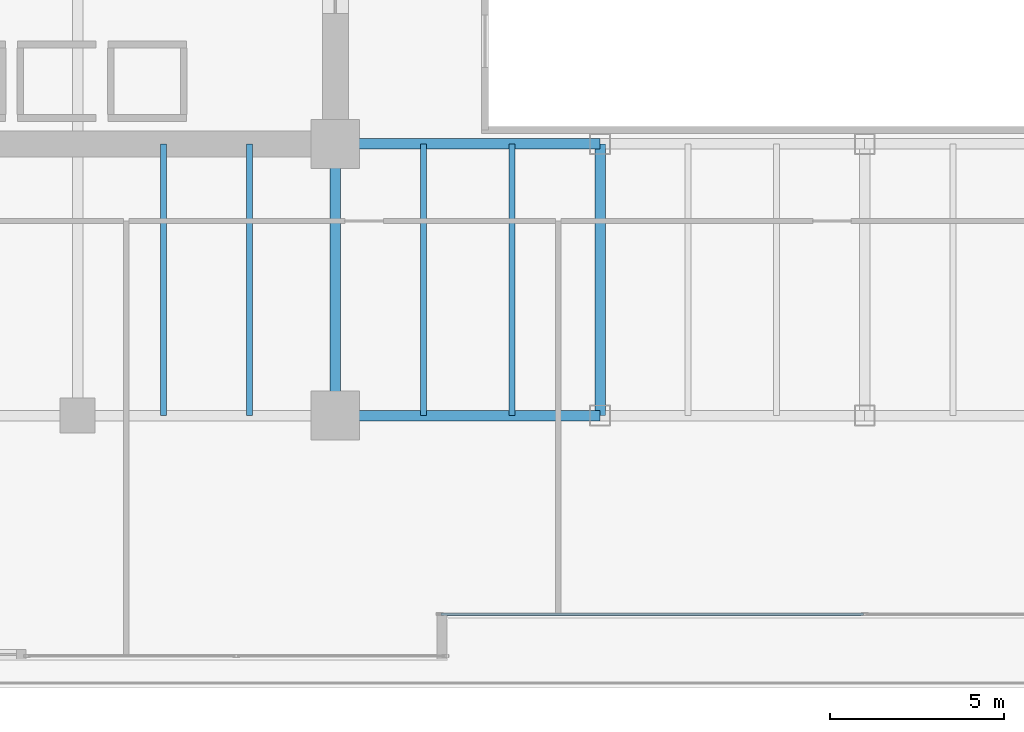
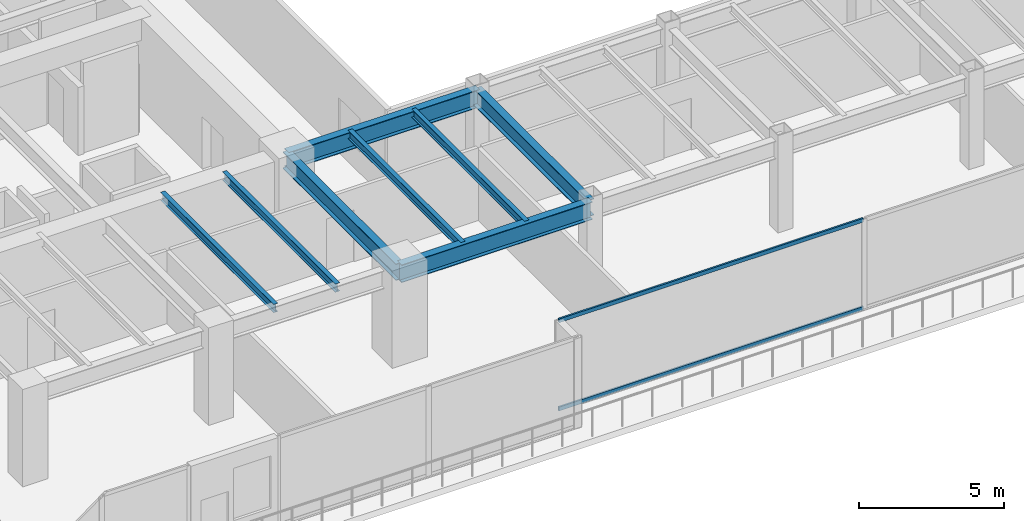
# One storey, part 5 of 36: 8 beams, 2 members, 1 element without a shape of its own.
"""IFC4 building model written with IfcOpenShell, lengths in metres."""

import ifcopenshell
import ifcopenshell.guid

model = None  # the IFC model being written
_history = None  # IfcOwnerHistory: only IFC2X3 demands one
_inside = {}  # id of a spatial element -> (the spatial element, [elements in it])
_under = {}  # id of a project, library or spatial element -> (it, [spatial elements below it])
_declared = {}  # id of a project -> (the project, [libraries it declares])
_typed = {}  # id of a type object -> (the type object, [elements of that type])
_made_of = {}  # id of a material, layer set ... -> (it, [elements and type objects made of it])


def new_model(schema):
    """Start an empty IFC model of exactly this schema.

    Asked for "IFC4X3", IfcOpenShell would pick the latest addendum, in which some entities
    have other attributes; the version numbers below select the first issue.
    IFC2X3 requires an IfcOwnerHistory on every rooted entity: one is made here for all.
    """
    global model, _history
    if schema == "IFC4X3":
        model = ifcopenshell.file(schema_version=(4, 3, 0, 0))
    else:
        model = ifcopenshell.file(schema=schema)
    _inside.clear()
    _under.clear()
    _declared.clear()
    _typed.clear()
    _made_of.clear()
    _history = None
    if model.schema == "IFC2X3":
        org = make("IfcOrganization", Name="unknown")
        user = make(
            "IfcPersonAndOrganization",
            ThePerson=make("IfcPerson", FamilyName="unknown"),
            TheOrganization=org,
        )
        app = make(
            "IfcApplication",
            ApplicationDeveloper=org,
            Version="unknown",
            ApplicationFullName="unknown",
            ApplicationIdentifier="unknown",
        )
        _history = make(
            "IfcOwnerHistory",
            OwningUser=user,
            OwningApplication=app,
            ChangeAction="ADDED",
            CreationDate=0,
        )
    return model


def make(cls, **values):
    """One entity of the class cls with the attributes given. An attribute that is None is left unset."""
    return model.create_entity(
        cls, **{name: value for name, value in values.items() if value is not None}
    )


def rooted(cls, **values):
    """An entity with a GlobalId (a new one), such as an element, a storey or a relation."""
    return make(cls, GlobalId=ifcopenshell.guid.new(), OwnerHistory=_history, **values)


def si_unit(unit_type, name, prefix=None):
    """IfcSIUnit, for example si_unit("LENGTHUNIT", "METRE", prefix="MILLI")."""
    return make("IfcSIUnit", UnitType=unit_type, Prefix=prefix, Name=name)


def assignment(units):
    """IfcUnitAssignment: the units of a project."""
    return None if units is None else make("IfcUnitAssignment", Units=units)


def point(xyz):
    """IfcCartesianPoint."""
    return None if xyz is None else make("IfcCartesianPoint", Coordinates=xyz)


def direction(xyz):
    """IfcDirection."""
    return None if xyz is None else make("IfcDirection", DirectionRatios=xyz)


def frame(location, z_axis=None, x_axis=None):
    """IfcAxis2Placement3D, a coordinate frame: its origin and axes. An axis left out is left unset."""
    return make(
        "IfcAxis2Placement3D",
        Location=point(location),
        Axis=direction(z_axis),
        RefDirection=direction(x_axis),
    )


def frame_2d(location, x_axis=None):
    """IfcAxis2Placement2D, a coordinate frame in the plane: its origin and x axis."""
    return make(
        "IfcAxis2Placement2D", Location=point(location), RefDirection=direction(x_axis)
    )


def origin():
    """The frame at (0, 0, 0) with its axes left unset."""
    return frame((0.0, 0.0, 0.0))


def origin_2d():
    """The frame at (0, 0) in the plane with its x axis left unset."""
    return frame_2d((0.0, 0.0))


def place(relative_to, where):
    """IfcLocalPlacement: puts the frame where relative to a parent placement (None: the world)."""
    return make(
        "IfcLocalPlacement", PlacementRelTo=relative_to, RelativePlacement=where
    )


def context(
    kind, dimensions, precision=None, world=None, true_north=None, identifier=None
):
    """IfcGeometricRepresentationContext, for example the 3D "Model" context."""
    return make(
        "IfcGeometricRepresentationContext",
        ContextIdentifier=identifier,
        ContextType=kind,
        CoordinateSpaceDimension=dimensions,
        Precision=precision,
        WorldCoordinateSystem=world,
        TrueNorth=true_north,
    )


def subcontext(parent, identifier, kind, view, scale=None):
    """IfcGeometricRepresentationSubContext, for example "Body" below "Model"."""
    return make(
        "IfcGeometricRepresentationSubContext",
        ContextIdentifier=identifier,
        ContextType=kind,
        ParentContext=parent,
        TargetScale=scale,
        TargetView=view,
    )


def project(units=None, contexts=None):
    """IfcProject with its units and contexts."""
    return rooted(
        "IfcProject",
        Name="project",
        RepresentationContexts=contexts,
        UnitsInContext=assignment(units),
    )


def spatial(cls, under=None, at=None, **own):
    """A site, building, storey or space (cls), placed at a placement, below another one or the project."""
    s = rooted(cls, ObjectPlacement=at, **own)
    if under is not None:
        _under.setdefault(under.id(), (under, []))[1].append(s)
    return s


def profile(cls, at=None, kind="AREA", **sizes):
    """A parametric profile (cls). Its sizes go by their IFC names, for example OverallWidth=200.0."""
    return make(cls, ProfileType=kind, Position=at, **sizes)


def hollow_rectangle(**sizes):
    """IfcRectangleHollowProfileDef."""
    return profile("IfcRectangleHollowProfileDef", **sizes)


def i_section(**sizes):
    """IfcIShapeProfileDef."""
    return profile("IfcIShapeProfileDef", **sizes)


def extrude(swept, where, along, depth):
    """IfcExtrudedAreaSolid: the profile swept, set in the frame where, extruded along a direction by depth."""
    return make(
        "IfcExtrudedAreaSolid",
        SweptArea=swept,
        Position=where,
        ExtrudedDirection=direction(along),
        Depth=depth,
    )


def shape(context_of_items, identifier, shape_type, items):
    """IfcShapeRepresentation: the items that make up one representation, for example the "Body"."""
    return make(
        "IfcShapeRepresentation",
        ContextOfItems=context_of_items,
        RepresentationIdentifier=identifier,
        RepresentationType=shape_type,
        Items=items,
    )


def source(mapping_origin, context_of_items, identifier, shape_type, items):
    """IfcRepresentationMap: a shape defined once, which mapped items show again and again."""
    return make(
        "IfcRepresentationMap",
        MappingOrigin=mapping_origin,
        MappedRepresentation=shape(context_of_items, identifier, shape_type, items),
    )


def transform(
    local_origin,
    x_axis=None,
    y_axis=None,
    z_axis=None,
    scale=None,
    scale2=None,
    scale3=None,
    uniform=True,
):
    """IfcCartesianTransformationOperator3D, or its non-uniform kind. x_axis, y_axis, z_axis: its Axis1, 2, 3."""
    if uniform:
        return make(
            "IfcCartesianTransformationOperator3D",
            Axis1=direction(x_axis),
            Axis2=direction(y_axis),
            LocalOrigin=point(local_origin),
            Scale=scale,
            Axis3=direction(z_axis),
        )
    return make(
        "IfcCartesianTransformationOperator3DnonUniform",
        Axis1=direction(x_axis),
        Axis2=direction(y_axis),
        LocalOrigin=point(local_origin),
        Scale=scale,
        Axis3=direction(z_axis),
        Scale2=scale2,
        Scale3=scale3,
    )


def mapped(mapping_source, mapping_target):
    """IfcMappedItem: shows the shape of a source again, moved by a transform."""
    return make(
        "IfcMappedItem", MappingSource=mapping_source, MappingTarget=mapping_target
    )


def material(Name=None, Category=None):
    """IfcMaterial."""
    return make("IfcMaterial", Name=Name, Category=Category)


def layer(
    of_material, thickness, ventilated=None, Name=None, Category=None, Priority=None
):
    """IfcMaterialLayer: one layer of a wall or slab, of a material (None: an air gap)."""
    return make(
        "IfcMaterialLayer",
        Material=of_material,
        LayerThickness=thickness,
        IsVentilated=ventilated,
        Name=Name,
        Category=Category,
        Priority=Priority,
    )


def layer_set(layers, Name=None):
    """IfcMaterialLayerSet."""
    return make("IfcMaterialLayerSet", MaterialLayers=layers, LayerSetName=Name)


def material_profile(
    of_material, cross_section, Name=None, Category=None, Priority=None
):
    """IfcMaterialProfile: a cross section and its material."""
    return make(
        "IfcMaterialProfile",
        Name=Name,
        Material=of_material,
        Profile=cross_section,
        Priority=Priority,
        Category=Category,
    )


def profile_set(profiles, Name=None, composite=None):
    """IfcMaterialProfileSet."""
    return make(
        "IfcMaterialProfileSet",
        Name=Name,
        MaterialProfiles=profiles,
        CompositeProfile=composite,
    )


def made_of(thing, what):
    """Note that an element or type object is made of a material, layer set ...; save() writes the relation."""
    if what is not None:
        _made_of.setdefault(what.id(), (what, []))[1].append(thing)
    return thing


def type_object(cls, material=None, **own):
    """A type object (cls), such as IfcWallType, which elements share."""
    return made_of(rooted(cls, **own), material)


def type_shapes(of_type, sources):
    """Give a type object the sources (RepresentationMaps) that its elements show as mapped items."""
    of_type.RepresentationMaps = sources


def element(
    cls,
    number,
    at=None,
    inside=None,
    cuts=None,
    type_object=None,
    material=None,
    context=None,
    identifier="Body",
    shape_type=None,
    held_by="IfcProductDefinitionShape",
    body=None,
    shapes=None,
    **own,
):
    """One element of the class cls, such as IfcWall. Its Tag is "e" and its number.

    at: its placement. inside: the storey or other place that contains it. cuts: it is an
    opening in that element (IfcRelVoidsElement). A single representation is given by context,
    identifier, shape_type and body (its items); several are given by shapes. held_by: the class
    of the entity that holds the representations. save() writes the other relations.
    """
    e = rooted(cls, Tag="e%d" % number, ObjectPlacement=at, **own)
    if body is not None:
        shapes = [shape(context, identifier, shape_type, body)]
    if shapes is not None:
        e.Representation = make(held_by, Representations=shapes)
    if inside is not None:
        _inside.setdefault(inside.id(), (inside, []))[1].append(e)
    if cuts is not None:
        rooted(
            "IfcRelVoidsElement", RelatingBuildingElement=cuts, RelatedOpeningElement=e
        )
    if type_object is not None:
        _typed.setdefault(type_object.id(), (type_object, []))[1].append(e)
    return made_of(e, material)


def aggregate(whole, parts):
    """IfcRelAggregates: a whole, such as a stair, and the parts it consists of."""
    return rooted("IfcRelAggregates", RelatingObject=whole, RelatedObjects=parts)


def save(model, path):
    """Write the relations noted so far, then the file.

    IfcRelAggregates (storeys below a building ...), IfcRelContainedInSpatialStructure (elements
    in a storey), IfcRelDefinesByType, IfcRelAssociatesMaterial and IfcRelDeclares: one each for
    every whole, place, type object, material and project.
    """
    for whole, parts in _under.values():
        aggregate(whole, parts)
    for where, things in _inside.values():
        rooted(
            "IfcRelContainedInSpatialStructure",
            RelatedElements=things,
            RelatingStructure=where,
        )
    for kind, things in _typed.values():
        rooted("IfcRelDefinesByType", RelatedObjects=things, RelatingType=kind)
    for what, things in _made_of.values():
        rooted("IfcRelAssociatesMaterial", RelatedObjects=things, RelatingMaterial=what)
    for by, libraries in _declared.values():
        rooted("IfcRelDeclares", RelatingContext=by, RelatedDefinitions=libraries)
    model.write(path)


model = new_model("IFC4")

# Units and contexts
model_context = context("Model", 3, precision=1e-05, world=origin(), true_north=direction((0.0, 1.0)))
body_context = subcontext(model_context, "Body", "Model", "MODEL_VIEW")
ifc_project = project(units=[si_unit("LENGTHUNIT", "METRE"), si_unit("AREAUNIT", "SQUARE_METRE"), si_unit("VOLUMEUNIT", "CUBIC_METRE"), si_unit("PLANEANGLEUNIT", "RADIAN"), si_unit("MASSUNIT", "GRAM", prefix="KILO")], contexts=[model_context])

# Site, building, storey
site_placement = place(None, origin())
site = spatial("IfcSite", under=ifc_project, at=site_placement, CompositionType="ELEMENT")
building_placement = place(site_placement, origin())
building = spatial("IfcBuilding", under=site, at=building_placement, Name="Haelvirn Gate Laboratories", CompositionType="ELEMENT")
storey_placement = place(building_placement, frame((0.0, 0.0, 25.199951171875)))
storey = spatial("IfcBuildingStorey", under=building, at=storey_placement, Name="L06", CompositionType="ELEMENT", Elevation=25.199951171875)

# Beams
ifc_material_1 = material(Name="Steel SM355", Category="steel")
ifc_material_profile_1 = material_profile(ifc_material_1, i_section(OverallWidth=0.300048828125, OverallDepth=0.699951171875, WebThickness=0.012939453125, FlangeThickness=0.02392578125, at=origin_2d()), Name="H-700x300x13x24")
ifc_profile_set_1 = profile_set([ifc_material_profile_1], Name="Steel SM355")
beam_type_1 = type_object("IfcBeamType", Name="BM-G-700", PredefinedType="BEAM", material=ifc_profile_set_1)
shared_shape_1 = source(origin(), body_context, "Body", "SweptSolid", [
    extrude(i_section(OverallWidth=0.300048828125, OverallDepth=0.699951171875, WebThickness=0.012939453125, FlangeThickness=0.02392578125, at=origin_2d()), origin(), (0.0, 0.0, 1.0), 7.800048828125),
])
type_shapes(beam_type_1, [shared_shape_1])
for number, where, z_axis, x_axis, name in (
    (1, (22.199951171875, 7.0, 3.429931640625), (0.0, 1.0, 0.0), (-1.0, 0.0, 0.0), "L06 Frame Girder X22.2 (7.0-14.8)"),
    (2, (29.800048828125, 7.0, 3.429931640625), (0.0, 1.0, 0.0), (-1.0, 0.0, 0.0), "L06 Frame Girder X29.8 (7.0-14.8)"),
):
    element("IfcBeam", number, at=place(storey_placement, frame(where, z_axis=z_axis, x_axis=x_axis)), inside=storey, type_object=beam_type_1, Name=name, PredefinedType="BEAM", context=body_context, shape_type="MappedRepresentation", body=[
        mapped(shared_shape_1, transform((0.0, 0.0, 0.0), scale=1.0)),
    ])
ifc_material_profile_2 = material_profile(ifc_material_1, i_section(OverallWidth=0.300048828125, OverallDepth=0.75, WebThickness=0.013916015625, FlangeThickness=0.02392578125, at=origin_2d()), Name="H-750x300x14x24")
ifc_profile_set_2 = profile_set([ifc_material_profile_2], Name="Steel SM355")
beam_type_2 = type_object("IfcBeamType", Name="BM-G-750", PredefinedType="BEAM", material=ifc_profile_set_2)
shared_shape_2 = source(origin(), body_context, "Body", "SweptSolid", [
    extrude(i_section(OverallWidth=0.300048828125, OverallDepth=0.75, WebThickness=0.013916015625, FlangeThickness=0.02392578125, at=origin_2d()), origin(), (0.0, 0.0, 1.0), 7.60009765625),
])
type_shapes(beam_type_2, [shared_shape_2])
for number, where, z_axis, x_axis, name in (
    (3, (22.199951171875, 7.0, 3.405029296875), (1.0, 0.0, 0.0), (0.0, 1.0, 0.0), "L06 Primary Girder Y7.0 (22.2-29.8)"),
    (4, (22.199951171875, 14.800048828125, 3.405029296875), (1.0, 0.0, 0.0), (0.0, 1.0, 0.0), "L06 Primary Girder Y14.8 (22.2-29.8)"),
):
    element("IfcBeam", number, at=place(storey_placement, frame(where, z_axis=z_axis, x_axis=x_axis)), inside=storey, type_object=beam_type_2, Name=name, PredefinedType="BEAM", context=body_context, shape_type="MappedRepresentation", body=[
        mapped(shared_shape_2, transform((0.0, 0.0, 0.0), scale=1.0)),
    ])
ifc_material_profile_3 = material_profile(ifc_material_1, i_section(OverallWidth=0.175048828125, OverallDepth=0.35009765625, WebThickness=0.007080078125, FlangeThickness=0.010986328125, at=origin_2d()), Name="H-350x175x7x11")
ifc_profile_set_3 = profile_set([ifc_material_profile_3], Name="Steel SM355")
beam_type_3 = type_object("IfcBeamType", Name="BM-J-350", PredefinedType="JOIST", material=ifc_profile_set_3)
shared_shape_3 = source(origin(), body_context, "Body", "SweptSolid", [
    extrude(i_section(OverallWidth=0.175048828125, OverallDepth=0.35009765625, WebThickness=0.007080078125, FlangeThickness=0.010986328125, at=origin_2d()), origin(), (0.0, 0.0, 1.0), 7.800048828125),
])
type_shapes(beam_type_3, [shared_shape_3])
for number, where, z_axis, x_axis, name in (
    (5, (17.27001953125, 7.0, 3.60498046875), (0.0, 1.0, 0.0), (-1.0, 0.0, 0.0), "L06 Composite Lab Joist South X17.27"),
    (6, (19.72998046875, 7.0, 3.60498046875), (0.0, 1.0, 0.0), (-1.0, 0.0, 0.0), "L06 Composite Lab Joist South X19.73"),
    (7, (24.72998046875, 7.0, 3.60498046875), (0.0, 1.0, 0.0), (-1.0, 0.0, 0.0), "L06 Composite Lab Joist South X24.73"),
    (8, (27.27001953125, 7.0, 3.60498046875), (0.0, 1.0, 0.0), (-1.0, 0.0, 0.0), "L06 Composite Lab Joist South X27.27"),
):
    element("IfcBeam", number, at=place(storey_placement, frame(where, z_axis=z_axis, x_axis=x_axis)), inside=storey, type_object=beam_type_3, Name=name, PredefinedType="JOIST", context=body_context, shape_type="MappedRepresentation", body=[
        mapped(shared_shape_3, transform((0.0, 0.0, 0.0), scale=1.0)),
    ])

# Curtain wall, members
ifc_material_2 = material(Name="Anodised bronze unitised aluminium & triple low-E glass", Category="aluminium")
ifc_layer = layer(ifc_material_2, 0.18408203125, Name="CW-SYS-2")
ifc_layer_set = layer_set([ifc_layer], Name="Anodised bronze unitised aluminium & triple low-E glass")
curtain_wall_type = type_object("IfcCurtainWallType", Name="CW-SYS-2", PredefinedType="NOTDEFINED", material=ifc_layer_set)
curtain_wall_placement = place(storey_placement, origin())
curtain_wall = element("IfcCurtainWall", 9, at=curtain_wall_placement, inside=storey, type_object=curtain_wall_type, Name="L06 Unitised Curtain Wall CW-L06-P0-E02-1", PredefinedType="NOTDEFINED")
ifc_material_3 = material(Name="Extruded aluminium 6063-T6 (anodised bronze)", Category="aluminium")
ifc_material_profile_4 = material_profile(ifc_material_3, hollow_rectangle(XDim=0.070068359375, YDim=0.159912109375, WallThickness=0.0048828125, at=origin_2d()), Name="CWT-160x70x5")
ifc_profile_set_4 = profile_set([ifc_material_profile_4], Name="Extruded aluminium 6063-T6 (anodised bronze)")
member_type = type_object("IfcMemberType", Name="CWT-T160", PredefinedType="USERDEFINED", material=ifc_profile_set_4)
shared_shape_4 = source(origin(), body_context, "Body", "SweptSolid", [
    extrude(hollow_rectangle(XDim=0.070068359375, YDim=0.159912109375, WallThickness=0.0048828125, at=origin_2d()), origin(), (0.0, 0.0, 1.0), 12.12744140625),
])
type_shapes(member_type, [shared_shape_4])
member_1_placement = place(storey_placement, frame((25.235107421875, 1.300048828125, 0.03515625), z_axis=(1.0, 0.0, 0.0), x_axis=(0.0, 1.0, 0.0)))
member_1 = element("IfcMember", 10, at=member_1_placement, type_object=member_type, Name="CW2 transom 1.1", ObjectType="TRANSOM", PredefinedType="USERDEFINED", context=body_context, shape_type="MappedRepresentation", body=[
    mapped(shared_shape_4, transform((0.0, 0.0, 0.0), scale=1.0)),
])
member_2_placement = place(storey_placement, frame((25.235107421875, 1.300048828125, 3.7451171875), z_axis=(1.0, 0.0, 0.0), x_axis=(0.0, 1.0, 0.0)))
member_2 = element("IfcMember", 11, at=member_2_placement, type_object=member_type, Name="CW2 transom 1.2", ObjectType="TRANSOM", PredefinedType="USERDEFINED", context=body_context, shape_type="MappedRepresentation", body=[
    mapped(shared_shape_4, transform((0.0, 0.0, 0.0), scale=1.0)),
])
aggregate(curtain_wall, [member_1, member_2])

save(model, "model.ifc")
